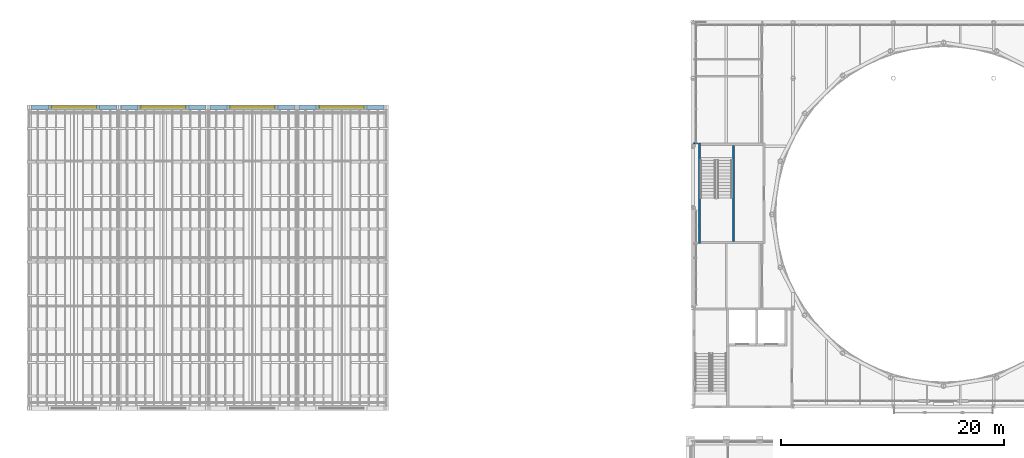
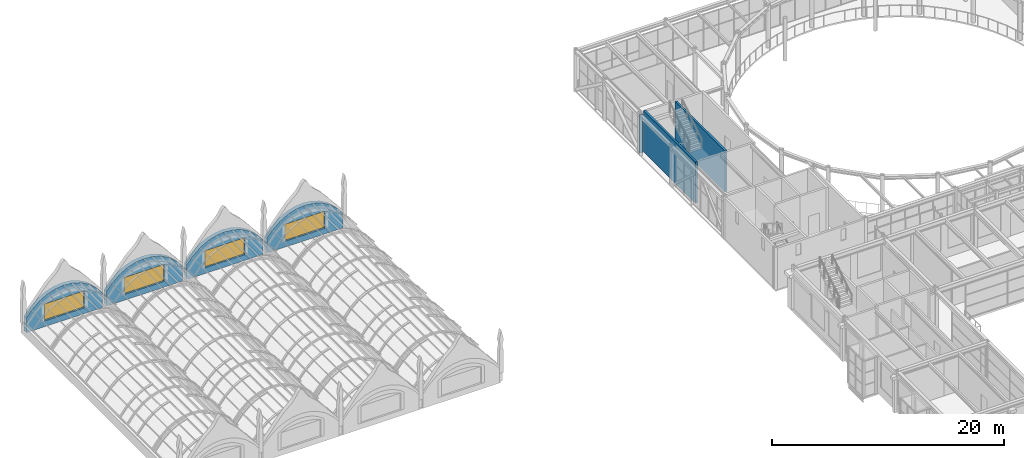
# One storey, part 70 of 111: 7 walls, 4 windows, 4 openings.
"""IFC4 building model written with IfcOpenShell, lengths in metres."""

from ifc_helpers import new_model, si_unit, direction, frame, frame_2d, origin, place, context, subcontext, project, spatial, polyline, rectangle, outline, extrude, material, layer, layer_set, type_object, element, fill, save


model = new_model("IFC4")

# Units and contexts
model_context = context("Model", 3, precision=1e-05, world=origin(), true_north=direction((0.0, 1.0)))
body_context = subcontext(model_context, "Body", "Model", "MODEL_VIEW")
ifc_project = project(units=[si_unit("LENGTHUNIT", "METRE"), si_unit("AREAUNIT", "SQUARE_METRE"), si_unit("VOLUMEUNIT", "CUBIC_METRE"), si_unit("PLANEANGLEUNIT", "RADIAN"), si_unit("MASSUNIT", "GRAM", prefix="KILO")], contexts=[model_context])

# Site, building, storey
site_placement = place(None, origin())
site = spatial("IfcSite", under=ifc_project, at=site_placement, CompositionType="ELEMENT")
building_placement = place(site_placement, origin())
building = spatial("IfcBuilding", under=site, at=building_placement, Name="Kallimachos Central Library", CompositionType="ELEMENT")
storey_placement = place(building_placement, frame((0.0, 0.0, 14.39990234375)))
storey = spatial("IfcBuildingStorey", under=building, at=storey_placement, Name="L03", CompositionType="ELEMENT", Elevation=14.39990234375)

# Walls
ifc_material_1 = material(Name="Concrete C30/37", Category="concrete")
ifc_layer_1 = layer(ifc_material_1, 0.199951171875)
ifc_layer_set_1 = layer_set([ifc_layer_1], Name="Core wall 200")
wall_type_1 = type_object("IfcWallType", Name="Core wall 200", PredefinedType="SOLIDWALL", material=ifc_layer_set_1)
wall_1_placement = place(storey_placement, frame((66.10009765625, 101.77490234375, 0.0), z_axis=(0.0, 0.0, 1.0), x_axis=(0.0, 1.0, 0.0)))
element("IfcWall", 1, at=wall_1_placement, inside=storey, type_object=wall_type_1, Name="Core wall V1-NW W", PredefinedType="SOLIDWALL", context=body_context, shape_type="SweptSolid", body=[
    extrude(rectangle(XDim=9.0, YDim=0.199951171875, at=frame_2d((4.5, 0.0))), origin(), (0.0, 0.0, 1.0), 4.35009765625),
])
wall_2_placement = place(storey_placement, frame((69.14990234375, 101.97509765625, 0.0), z_axis=(0.0, 0.0, 1.0), x_axis=(0.0, 1.0, 0.0)))
element("IfcWall", 2, at=wall_2_placement, inside=storey, type_object=wall_type_1, Name="Stair wall V1-NW", PredefinedType="SOLIDWALL", context=body_context, shape_type="SweptSolid", body=[
    extrude(rectangle(XDim=8.599853515625, YDim=0.199951171875, at=frame_2d((4.2998046875, 0.0))), origin(), (0.0, 0.0, 1.0), 4.35009765625),
])
ifc_material_2 = material(Name="Plasterboard on steel studs", Category="steel")
ifc_layer_2 = layer(ifc_material_2, 0.10009765625)
ifc_layer_set_2 = layer_set([ifc_layer_2], Name="Partition 100")
wall_type_2 = type_object("IfcWallType", Name="Partition 100", PredefinedType="PARTITIONING", material=ifc_layer_set_2)
wall_3_placement = place(storey_placement, frame((65.919921875, 110.77490234375, 0.0), z_axis=(0.0, 0.0, 1.0), x_axis=(-1.0, 0.0, 0.0)))
element("IfcWall", 3, at=wall_3_placement, inside=storey, type_object=wall_type_2, Name="Partition", PredefinedType="PARTITIONING", context=body_context, shape_type="SweptSolid", body=[
    extrude(rectangle(XDim=0.33984375, YDim=0.10009765625, at=frame_2d((0.169921875, 0.0))), origin(), (0.0, 0.0, 1.0), 4.0400390625),
])

# Wall, opening, window
ifc_material_3 = material(Name="Glazed ceramic tile on concrete C30/37", Category="concrete")
ifc_layer_3 = layer(ifc_material_3, 0.39990234375)
ifc_layer_set_3 = layer_set([ifc_layer_3], Name="Tympanum wall 400")
wall_type_3 = type_object("IfcWallType", Name="Tympanum wall 400", PredefinedType="SOLIDWALL", material=ifc_layer_set_3)
wall_4_placement = place(storey_placement, frame((6.199951171875, 114.0, 0.0), z_axis=(0.0, 0.0, 1.0), x_axis=(1.0, 0.0, 0.0)))
wall_4 = element("IfcWall", 4, at=wall_4_placement, inside=storey, type_object=wall_type_3, Name="Vault 1 gable", PredefinedType="SOLIDWALL", context=body_context, shape_type="SweptSolid", body=[
    extrude(outline(polyline([(0.0, 0.0), (7.60009765625, 0.0), (7.60009765625, 1.55029296875), (7.078369140625, 2.202392578125), (6.26708984375, 2.920166015625), (5.446533203125, 3.380615234375), (4.623291015625, 3.635498046875), (3.800048828125, 3.716796875), (2.9765625, 3.635498046875), (2.153564453125, 3.380615234375), (1.3330078125, 2.920166015625), (0.521728515625, 2.202392578125), (0.0, 1.55029296875), (0.0, 0.0)])), frame((0.0, 0.199951171875, 0.0), z_axis=(0.0, -1.0, 0.0), x_axis=(1.0, 0.0, 0.0)), (0.0, 0.0, 1.0), 0.39990234375),
])
opening_1_placement = place(wall_4_placement, frame((1.800048828125, 0.0, 0.60009765625)))
opening_1 = element("IfcOpeningElement", 5, at=opening_1_placement, cuts=wall_4, Name="Opening WN260", PredefinedType="OPENING", context=body_context, shape_type="SweptSolid", body=[
    extrude(rectangle(XDim=4.0, YDim=1.800048828125, at=frame_2d((2.0, 0.89990234375))), frame((0.0, 0.2099609375, 0.0), z_axis=(0.0, -1.0, 0.0), x_axis=(1.0, 0.0, 0.0)), (0.0, 0.0, 1.0), 0.419921875),
])
ifc_material_4 = material(Name="Laminated safety glass in painted steel frame", Category="steel")
window_type = type_object("IfcWindowType", Name="Gable window 4000 x 1800", PartitioningType="DOUBLE_PANEL_VERTICAL", PredefinedType="WINDOW", material=ifc_material_4)
window_1_placement = place(opening_1_placement, origin())
window_1 = element("IfcWindow", 6, at=window_1_placement, inside=storey, type_object=window_type, Name="Vault gable window", OverallHeight=1.800048828125, OverallWidth=4.0, PartitioningType="SINGLE_PANEL", PredefinedType="WINDOW", context=body_context, shape_type="SweptSolid", body=[
    extrude(rectangle(XDim=4.0, YDim=1.800048828125, at=frame_2d((2.0, 0.89990234375))), frame((0.0, 0.030029296875, 0.0), z_axis=(0.0, -1.0, 0.0), x_axis=(1.0, 0.0, 0.0)), (0.0, 0.0, 1.0), 0.06005859375),
])
fill(opening_1, window_1)

wall_5_placement = place(storey_placement, frame((14.199951171875, 114.0, 0.0), z_axis=(0.0, 0.0, 1.0), x_axis=(1.0, 0.0, 0.0)))
wall_5 = element("IfcWall", 7, at=wall_5_placement, inside=storey, type_object=wall_type_3, Name="Vault 2 gable", PredefinedType="SOLIDWALL", context=body_context, shape_type="SweptSolid", body=[
    extrude(outline(polyline([(0.0, 0.0), (7.60009765625, 0.0), (7.60009765625, 1.55029296875), (7.078369140625, 2.202392578125), (6.26708984375, 2.920166015625), (5.446533203125, 3.380615234375), (4.623291015625, 3.635498046875), (3.800048828125, 3.716796875), (2.9765625, 3.635498046875), (2.153564453125, 3.380615234375), (1.3330078125, 2.920166015625), (0.521728515625, 2.202392578125), (0.0, 1.55029296875), (0.0, 0.0)])), frame((0.0, 0.199951171875, 0.0), z_axis=(0.0, -1.0, 0.0), x_axis=(1.0, 0.0, 0.0)), (0.0, 0.0, 1.0), 0.39990234375),
])
opening_2_placement = place(wall_5_placement, frame((1.800048828125, 0.0, 0.60009765625)))
opening_2 = element("IfcOpeningElement", 8, at=opening_2_placement, cuts=wall_5, Name="Opening WN262", PredefinedType="OPENING", context=body_context, shape_type="SweptSolid", body=[
    extrude(rectangle(XDim=4.0, YDim=1.800048828125, at=frame_2d((2.0, 0.89990234375))), frame((0.0, 0.2099609375, 0.0), z_axis=(0.0, -1.0, 0.0), x_axis=(1.0, 0.0, 0.0)), (0.0, 0.0, 1.0), 0.419921875),
])
window_2_placement = place(opening_2_placement, origin())
window_2 = element("IfcWindow", 9, at=window_2_placement, inside=storey, type_object=window_type, Name="Vault gable window", OverallHeight=1.800048828125, OverallWidth=4.0, PartitioningType="SINGLE_PANEL", PredefinedType="WINDOW", context=body_context, shape_type="SweptSolid", body=[
    extrude(rectangle(XDim=4.0, YDim=1.800048828125, at=frame_2d((2.0, 0.89990234375))), frame((0.0, 0.030029296875, 0.0), z_axis=(0.0, -1.0, 0.0), x_axis=(1.0, 0.0, 0.0)), (0.0, 0.0, 1.0), 0.06005859375),
])
fill(opening_2, window_2)

wall_6_placement = place(storey_placement, frame((22.199951171875, 114.0, 0.0), z_axis=(0.0, 0.0, 1.0), x_axis=(1.0, 0.0, 0.0)))
wall_6 = element("IfcWall", 10, at=wall_6_placement, inside=storey, type_object=wall_type_3, Name="Vault 3 gable", PredefinedType="SOLIDWALL", context=body_context, shape_type="SweptSolid", body=[
    extrude(outline(polyline([(0.0, 0.0), (7.60009765625, 0.0), (7.60009765625, 1.55029296875), (7.078369140625, 2.202392578125), (6.26708984375, 2.920166015625), (5.446533203125, 3.380615234375), (4.623291015625, 3.635498046875), (3.800048828125, 3.716796875), (2.9765625, 3.635498046875), (2.153564453125, 3.380615234375), (1.3330078125, 2.920166015625), (0.521728515625, 2.202392578125), (0.0, 1.55029296875), (0.0, 0.0)])), frame((0.0, 0.199951171875, 0.0), z_axis=(0.0, -1.0, 0.0), x_axis=(1.0, 0.0, 0.0)), (0.0, 0.0, 1.0), 0.39990234375),
])
opening_3_placement = place(wall_6_placement, frame((1.800048828125, 0.0, 0.60009765625)))
opening_3 = element("IfcOpeningElement", 11, at=opening_3_placement, cuts=wall_6, Name="Opening WN264", PredefinedType="OPENING", context=body_context, shape_type="SweptSolid", body=[
    extrude(rectangle(XDim=4.0, YDim=1.800048828125, at=frame_2d((2.0, 0.89990234375))), frame((0.0, 0.2099609375, 0.0), z_axis=(0.0, -1.0, 0.0), x_axis=(1.0, 0.0, 0.0)), (0.0, 0.0, 1.0), 0.419921875),
])
window_3_placement = place(opening_3_placement, origin())
window_3 = element("IfcWindow", 12, at=window_3_placement, inside=storey, type_object=window_type, Name="Vault gable window", OverallHeight=1.800048828125, OverallWidth=4.0, PartitioningType="SINGLE_PANEL", PredefinedType="WINDOW", context=body_context, shape_type="SweptSolid", body=[
    extrude(rectangle(XDim=4.0, YDim=1.800048828125, at=frame_2d((2.0, 0.89990234375))), frame((0.0, 0.030029296875, 0.0), z_axis=(0.0, -1.0, 0.0), x_axis=(1.0, 0.0, 0.0)), (0.0, 0.0, 1.0), 0.06005859375),
])
fill(opening_3, window_3)

wall_7_placement = place(storey_placement, frame((30.199951171875, 114.0, 0.0), z_axis=(0.0, 0.0, 1.0), x_axis=(1.0, 0.0, 0.0)))
wall_7 = element("IfcWall", 13, at=wall_7_placement, inside=storey, type_object=wall_type_3, Name="Vault 4 gable", PredefinedType="SOLIDWALL", context=body_context, shape_type="SweptSolid", body=[
    extrude(outline(polyline([(0.0, 0.0), (7.60009765625, 0.0), (7.60009765625, 1.55029296875), (7.078369140625, 2.202392578125), (6.26708984375, 2.920166015625), (5.446533203125, 3.380615234375), (4.623291015625, 3.635498046875), (3.800048828125, 3.716796875), (2.9765625, 3.635498046875), (2.153564453125, 3.380615234375), (1.3330078125, 2.920166015625), (0.521728515625, 2.202392578125), (0.0, 1.55029296875), (0.0, 0.0)])), frame((0.0, 0.199951171875, 0.0), z_axis=(0.0, -1.0, 0.0), x_axis=(1.0, 0.0, 0.0)), (0.0, 0.0, 1.0), 0.39990234375),
])
opening_4_placement = place(wall_7_placement, frame((1.800048828125, 0.0, 0.60009765625)))
opening_4 = element("IfcOpeningElement", 14, at=opening_4_placement, cuts=wall_7, Name="Opening WN266", PredefinedType="OPENING", context=body_context, shape_type="SweptSolid", body=[
    extrude(rectangle(XDim=4.0, YDim=1.800048828125, at=frame_2d((2.0, 0.89990234375))), frame((0.0, 0.2099609375, 0.0), z_axis=(0.0, -1.0, 0.0), x_axis=(1.0, 0.0, 0.0)), (0.0, 0.0, 1.0), 0.419921875),
])
window_4_placement = place(opening_4_placement, origin())
window_4 = element("IfcWindow", 15, at=window_4_placement, inside=storey, type_object=window_type, Name="Vault gable window", OverallHeight=1.800048828125, OverallWidth=4.0, PartitioningType="SINGLE_PANEL", PredefinedType="WINDOW", context=body_context, shape_type="SweptSolid", body=[
    extrude(rectangle(XDim=4.0, YDim=1.800048828125, at=frame_2d((2.0, 0.89990234375))), frame((0.0, 0.030029296875, 0.0), z_axis=(0.0, -1.0, 0.0), x_axis=(1.0, 0.0, 0.0)), (0.0, 0.0, 1.0), 0.06005859375),
])
fill(opening_4, window_4)

save(model, "model.ifc")
